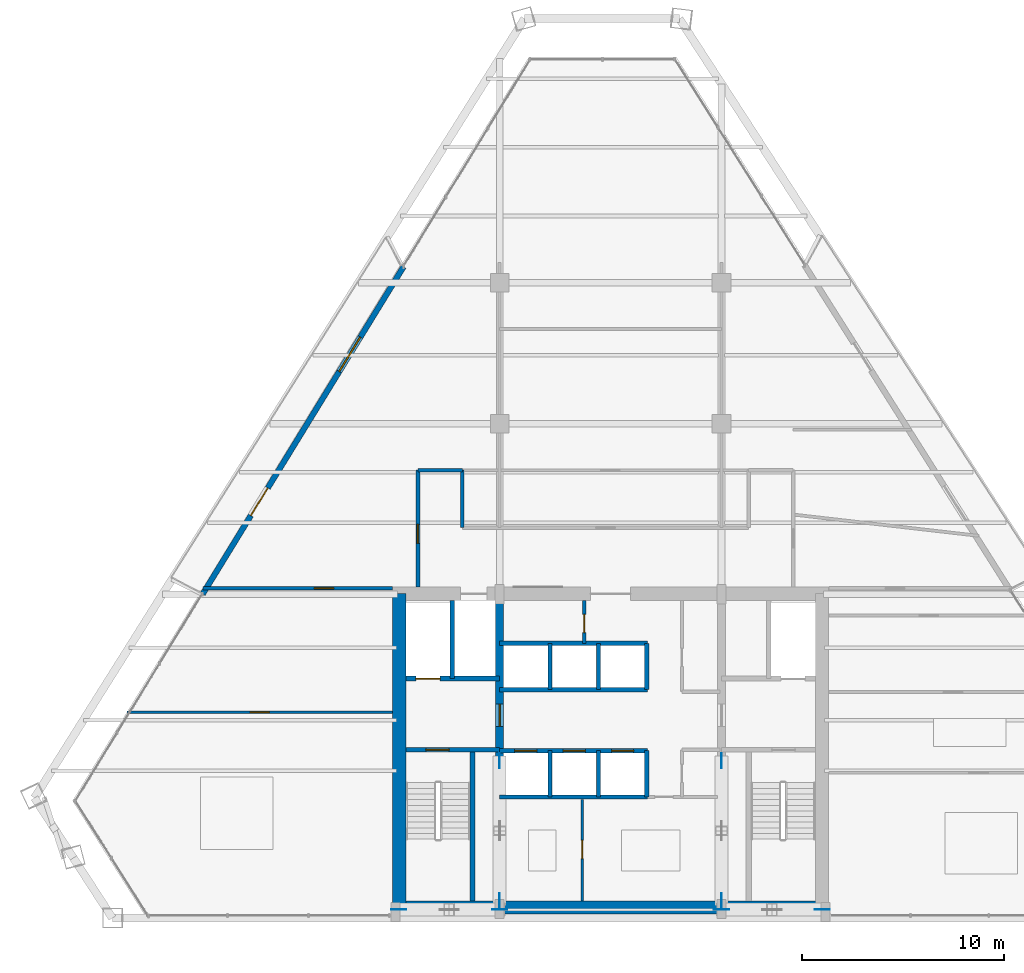
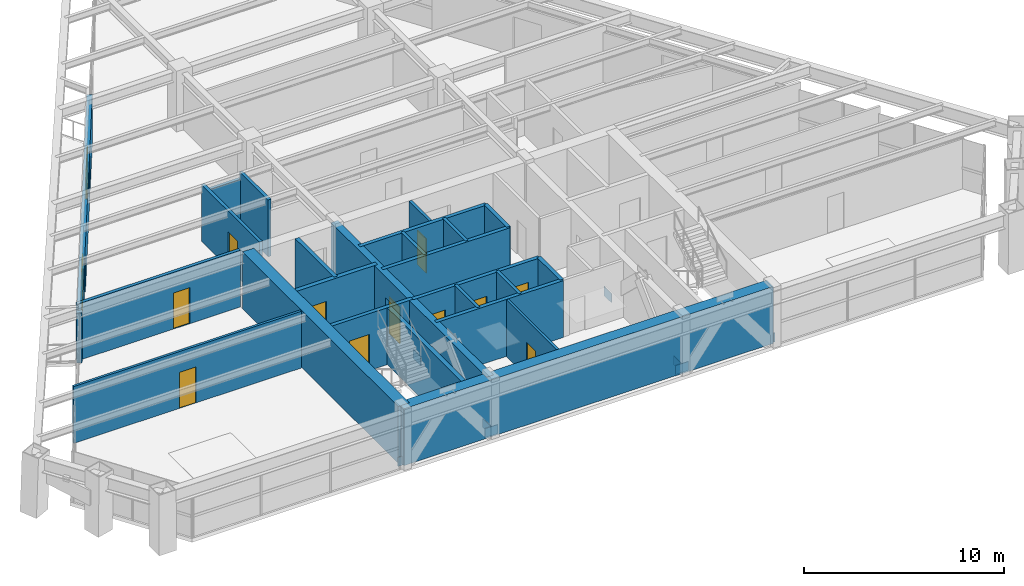
# One storey, part 11 of 15: 25 walls, 12 doors, 8 plates, 1 window, 13 openings.
"""IFC4 building model written with IfcOpenShell, lengths in metres."""

from ifc_helpers import new_model, si_unit, direction, frame, frame_2d, origin, origin_2d, place, context, subcontext, project, spatial, rectangle, extrude, source, transform, mapped, material, layer, layer_set, type_object, type_shapes, element, fill, save


model = new_model("IFC4")

# Units and contexts
model_context = context("Model", 3, precision=1e-05, world=origin(), true_north=direction((0.0, 1.0)))
body_context = subcontext(model_context, "Body", "Model", "MODEL_VIEW")
ifc_project = project(units=[si_unit("LENGTHUNIT", "METRE"), si_unit("AREAUNIT", "SQUARE_METRE"), si_unit("VOLUMEUNIT", "CUBIC_METRE"), si_unit("PLANEANGLEUNIT", "RADIAN"), si_unit("MASSUNIT", "GRAM", prefix="KILO")], contexts=[model_context])

# Site, building, storey
site_placement = place(None, origin())
site = spatial("IfcSite", under=ifc_project, at=site_placement, CompositionType="ELEMENT")
building_placement = place(site_placement, origin())
building = spatial("IfcBuilding", under=site, at=building_placement, Name="Varnakhor Terracotta Tower", CompositionType="ELEMENT")
storey_placement = place(building_placement, frame((0.0, 0.0, 196.89990234375)))
storey = spatial("IfcBuildingStorey", under=building, at=storey_placement, Name="L50", CompositionType="ELEMENT", Elevation=196.89990234375)

# Plates
ifc_material_1 = material(Name="Steel S460", Category="steel")
ifc_layer_1 = layer(ifc_material_1, 0.050048828125, Name="Steel S460")
ifc_layer_set_1 = layer_set([ifc_layer_1], Name="Steel S460")
plate_type = type_object("IfcPlateType", Name="PLT-GUSSET-50", PredefinedType="USERDEFINED", material=ifc_layer_set_1)
shared_shape_1 = source(origin(), body_context, "Body", "SweptSolid", [
    extrude(rectangle(XDim=0.75, YDim=0.0400390625, at=origin_2d()), origin(), (0.0, 0.0, 1.0), 0.550048828125),
])
type_shapes(plate_type, [shared_shape_1])
for number, where, z_axis, x_axis, name in (
    (1, (-10.5, 0.419921875, -0.0947265625), (0.0, 0.0, 1.0), (1.0, 0.0, 0.0), "L50 Core Brace Embed Plate CSWA"),
    (2, (-5.5, 0.419921875, -0.0947265625), (0.0, 0.0, 1.0), (1.0, 0.0, 0.0), "L50 Core Brace Embed Plate CSWB"),
    (3, (5.5, 0.419921875, -0.0947265625), (0.0, 0.0, 1.0), (1.0, 0.0, 0.0), "L50 Core Brace Embed Plate CSEA"),
    (4, (10.5, 0.419921875, -0.0947265625), (0.0, 0.0, 1.0), (1.0, 0.0, 0.0), "L50 Core Brace Embed Plate CSEB"),
    (5, (-5.5, 0.85009765625, -0.0947265625), (0.0, 0.0, 1.0), (0.0, 1.0, 0.0), "L50 Core Brace Embed Plate CWWA"),
    (6, (-5.5, 7.800048828125, -0.0947265625), (0.0, 0.0, 1.0), (0.0, 1.0, 0.0), "L50 Core Brace Embed Plate CWWB"),
    (7, (5.5, 0.85009765625, -0.0947265625), (0.0, 0.0, 1.0), (0.0, 1.0, 0.0), "L50 Core Brace Embed Plate CWEA"),
    (8, (5.5, 7.800048828125, -0.0947265625), (0.0, 0.0, 1.0), (0.0, 1.0, 0.0), "L50 Core Brace Embed Plate CWEB"),
):
    element("IfcPlate", number, at=place(storey_placement, frame(where, z_axis=z_axis, x_axis=x_axis)), inside=storey, type_object=plate_type, Name=name, ObjectType="GUSSET PLATE", PredefinedType="USERDEFINED", context=body_context, shape_type="MappedRepresentation", body=[
        mapped(shared_shape_1, transform((0.0, 0.0, 0.0), scale=1.0)),
    ])

# Walls
ifc_material_2 = material(Name="Concrete C50/60", Category="concrete")
ifc_layer_2 = layer(ifc_material_2, 0.64990234375, Name="Concrete C50/60")
ifc_layer_set_2 = layer_set([ifc_layer_2], Name="Concrete C50/60")
wall_type_1 = type_object("IfcWallType", Name="WAL-CORE-650", PredefinedType="SHEAR", material=ifc_layer_set_2)
wall_1_placement = place(storey_placement, frame((-10.64990234375, 0.52490234375, 0.0), z_axis=(0.0, 0.0, 1.0), x_axis=(1.0, 0.0, 0.0)))
element("IfcWall", 9, at=wall_1_placement, inside=storey, type_object=wall_type_1, Name="L50 South Core Shear Wall", PredefinedType="SHEAR", context=body_context, shape_type="SweptSolid", body=[
    extrude(rectangle(XDim=21.2998046875, YDim=0.64990234375, at=frame_2d((10.64990234375, 0.0))), origin(), (0.0, 0.0, 1.0), 3.47021484375),
])
wall_2_placement = place(storey_placement, frame((-10.47509765625, 0.52490234375, 0.0), z_axis=(0.0, 0.0, 1.0), x_axis=(0.0, 1.0, 0.0)))
element("IfcWall", 10, at=wall_2_placement, inside=storey, type_object=wall_type_1, Name="L50 West Core Shear Wall", PredefinedType="SHEAR", context=body_context, shape_type="SweptSolid", body=[
    extrude(rectangle(XDim=15.550048828125, YDim=0.64990234375, at=frame_2d((7.77490234375, 0.0))), origin(), (0.0, 0.0, 1.0), 3.47021484375),
])

# Wall, opening, door
ifc_layer_3 = layer(ifc_material_2, 0.39990234375, Name="Concrete C50/60")
ifc_layer_set_3 = layer_set([ifc_layer_3], Name="Concrete C50/60")
wall_type_2 = type_object("IfcWallType", Name="WAL-CORE-WEB-400", PredefinedType="SHEAR", material=ifc_layer_set_3)
wall_3_placement = place(storey_placement, frame((-5.5, 0.52490234375, 0.0), z_axis=(0.0, 0.0, 1.0), x_axis=(0.0, 1.0, 0.0)))
wall_3 = element("IfcWall", 11, at=wall_3_placement, inside=storey, type_object=wall_type_2, Name="L50 West Core Web Shear Wall", PredefinedType="SHEAR", context=body_context, shape_type="SweptSolid", body=[
    extrude(rectangle(XDim=15.550048828125, YDim=0.39990234375, at=frame_2d((7.77490234375, 0.0))), origin(), (0.0, 0.0, 1.0), 3.47021484375),
])
opening_1_placement = place(wall_3_placement, frame((8.97509765625, 0.0, 0.0)))
opening_1 = element("IfcOpeningElement", 12, at=opening_1_placement, cuts=wall_3, Name="Opening DR-25", PredefinedType="OPENING", context=body_context, shape_type="SweptSolid", body=[
    extrude(rectangle(XDim=1.10009765625, YDim=2.199951171875, at=frame_2d((0.550048828125, 1.10009765625))), frame((0.0, 0.2099609375, 0.0), z_axis=(0.0, -1.0, 0.0), x_axis=(1.0, 0.0, 0.0)), (0.0, 0.0, 1.0), 0.419921875),
])
ifc_material_3 = material(Name="Firefighting Lobby Self-Closing Fire Door", Category="steel")
door_type_1 = type_object("IfcDoorType", Name="DR-FFL-1100X2200", OperationType="NOTDEFINED", PredefinedType="DOOR", material=ifc_material_3)
shared_shape_2 = source(origin(), body_context, "Body", "SweptSolid", [
    extrude(rectangle(XDim=1.10009765625, YDim=2.199951171875, at=frame_2d((0.550048828125, 1.10009765625))), frame((0.0, 0.02490234375, 0.0), z_axis=(0.0, -1.0, 0.0), x_axis=(1.0, 0.0, 0.0)), (0.0, 0.0, 1.0), 0.050048828125),
])
type_shapes(door_type_1, [shared_shape_2])
door_1_placement = place(opening_1_placement, origin())
door_1 = element("IfcDoor", 13, at=door_1_placement, inside=storey, type_object=door_type_1, Name="L50 West Firefighting Lobby Door", OperationType="SINGLE_SWING_RIGHT", OverallHeight=2.199951171875, OverallWidth=1.10009765625, PredefinedType="DOOR", context=body_context, shape_type="MappedRepresentation", body=[
    mapped(shared_shape_2, transform((0.0, 0.0, 0.0), scale=1.0)),
])
fill(opening_1, door_1)

# Wall
ifc_material_4 = material(Name="Fire-Rated Gypsum Stud Partition", Category="gypsum")
ifc_layer_4 = layer(ifc_material_4, 0.18505859375, Name="Fire-Rated Gypsum Stud Partition")
ifc_layer_set_4 = layer_set([ifc_layer_4], Name="Fire-Rated Gypsum Stud Partition")
wall_type_3 = type_object("IfcWallType", Name="WAL-CORR-185", PredefinedType="PARTITIONING", material=ifc_layer_set_4)
wall_4_placement = place(storey_placement, frame((-7.35009765625, 19.35009765625, 0.0), z_axis=(0.0, 0.0, 1.0), x_axis=(0.0, 1.0, 0.0)))
element("IfcWall", 14, at=wall_4_placement, inside=storey, type_object=wall_type_3, Name="L50 West Gallery Inner Wall", PredefinedType="PARTITIONING", context=body_context, shape_type="SweptSolid", body=[
    extrude(rectangle(XDim=2.849853515625, YDim=0.18505859375, at=frame_2d((1.4248046875, 0.0))), origin(), (0.0, 0.0, 1.0), 3.462158203125),
])

# Wall, opening, door
wall_5_placement = place(storey_placement, frame((-9.550048828125, 16.39990234375, 0.0), z_axis=(0.0, 0.0, 1.0), x_axis=(0.0, 1.0, 0.0)))
wall_5 = element("IfcWall", 15, at=wall_5_placement, inside=storey, type_object=wall_type_3, Name="L50 West Gallery Outer Wall", PredefinedType="PARTITIONING", context=body_context, shape_type="SweptSolid", body=[
    extrude(rectangle(XDim=5.800048828125, YDim=0.18505859375, at=frame_2d((2.89990234375, 0.0))), origin(), (0.0, 0.0, 1.0), 3.462158203125),
])
opening_2_placement = place(wall_5_placement, frame((2.1689453125, 0.0, 0.0)))
opening_2 = element("IfcOpeningElement", 16, at=opening_2_placement, cuts=wall_5, Name="Opening DR-94", PredefinedType="OPENING", context=body_context, shape_type="SweptSolid", body=[
    extrude(rectangle(XDim=0.949951171875, YDim=2.199951171875, at=frame_2d((0.47509765625, 1.10009765625))), frame((0.0, 0.1025390625, 0.0), z_axis=(0.0, -1.0, 0.0), x_axis=(1.0, 0.0, 0.0)), (0.0, 0.0, 1.0), 0.205078125),
])
ifc_material_5 = material(Name="Acoustic Glazed-Vision Timber Office Door", Category="wood")
door_type_2 = type_object("IfcDoorType", Name="DR-OFF-950X2200", OperationType="NOTDEFINED", PredefinedType="DOOR", material=ifc_material_5)
shared_shape_3 = source(origin(), body_context, "Body", "SweptSolid", [
    extrude(rectangle(XDim=0.949951171875, YDim=2.199951171875, at=frame_2d((0.47509765625, 1.10009765625))), frame((0.0, 0.02490234375, 0.0), z_axis=(0.0, -1.0, 0.0), x_axis=(1.0, 0.0, 0.0)), (0.0, 0.0, 1.0), 0.050048828125),
])
type_shapes(door_type_2, [shared_shape_3])
door_2_placement = place(opening_2_placement, origin())
door_2 = element("IfcDoor", 17, at=door_2_placement, inside=storey, type_object=door_type_2, Name="L50 West Wing Door", OperationType="SINGLE_SWING_LEFT", OverallHeight=2.199951171875, OverallWidth=0.949951171875, PredefinedType="DOOR", context=body_context, shape_type="MappedRepresentation", body=[
    mapped(shared_shape_3, transform((0.0, 0.0, 0.0), scale=1.0)),
])
fill(opening_2, door_2)

# Wall
wall_6_placement = place(storey_placement, frame((-9.550048828125, 22.199951171875, 0.0), z_axis=(0.0, 0.0, 1.0), x_axis=(1.0, 0.0, 0.0)))
element("IfcWall", 18, at=wall_6_placement, inside=storey, type_object=wall_type_3, Name="L50 West Gallery North End", PredefinedType="PARTITIONING", context=body_context, shape_type="SweptSolid", body=[
    extrude(rectangle(XDim=2.199951171875, YDim=0.18505859375, at=frame_2d((1.10009765625, 0.0))), origin(), (0.0, 0.0, 1.0), 3.049072265625),
])

# Wall, opening, door
wall_7_placement = place(storey_placement, frame((-20.19140625, 16.35009765625, 0.0), z_axis=(0.0, 0.0, 1.0), x_axis=(1.0, 0.0, 0.0)))
wall_7 = element("IfcWall", 19, at=wall_7_placement, inside=storey, type_object=wall_type_3, Name="L50 South West Entry Wall", PredefinedType="PARTITIONING", context=body_context, shape_type="SweptSolid", body=[
    extrude(rectangle(XDim=9.371337890625, YDim=0.18505859375, at=frame_2d((4.685546875, 0.0))), origin(), (0.0, 0.0, 1.0), 3.462158203125),
])
opening_3_placement = place(wall_7_placement, frame((5.514404296875, 0.0, 0.0)))
opening_3 = element("IfcOpeningElement", 20, at=opening_3_placement, cuts=wall_7, Name="Opening DR-94", PredefinedType="OPENING", context=body_context, shape_type="SweptSolid", body=[
    extrude(rectangle(XDim=0.949951171875, YDim=2.199951171875, at=frame_2d((0.47509765625, 1.10009765625))), frame((0.0, 0.1025390625, 0.0), z_axis=(0.0, -1.0, 0.0), x_axis=(1.0, 0.0, 0.0)), (0.0, 0.0, 1.0), 0.205078125),
])
door_3_placement = place(opening_3_placement, origin())
door_3 = element("IfcDoor", 21, at=door_3_placement, inside=storey, type_object=door_type_2, Name="L50 SW Suite Door", OperationType="SINGLE_SWING_LEFT", OverallHeight=2.199951171875, OverallWidth=0.949951171875, PredefinedType="DOOR", context=body_context, shape_type="MappedRepresentation", body=[
    mapped(shared_shape_3, transform((0.0, 0.0, 0.0), scale=1.0)),
])
fill(opening_3, door_3)

# Wall, openings, door, window
ifc_material_6 = material(Name="Extruded Architectural Terracotta Assembly", Category="masonry")
ifc_layer_5 = layer(ifc_material_6, 0.280029296875, Name="Extruded Architectural Terracotta Assembly")
ifc_layer_set_5 = layer_set([ifc_layer_5], Name="Extruded Architectural Terracotta Assembly")
wall_type_4 = type_object("IfcWallType", Name="WAL-EXT-TERRACOTTA-280", PredefinedType="SOLIDWALL", material=ifc_layer_set_5)
wall_8_placement = place(storey_placement, frame((-20.21728515625, 16.059326171875, 0.0), z_axis=(0.0, 0.0, 1.0), x_axis=(0.523025539044, 0.852317009984, 0.0)))
wall_8 = element("IfcWall", 22, at=wall_8_placement, inside=storey, type_object=wall_type_4, Name="L50 W Loggia Insulated Terracotta Wall", PredefinedType="SOLIDWALL", context=body_context, shape_type="SweptSolid", body=[
    extrude(rectangle(XDim=19.03125, YDim=0.280029296875, at=frame_2d((9.515625, 0.0))), origin(), (0.0, 0.0, 1.0), 3.050048828125),
])
opening_4_placement = place(wall_8_placement, frame((4.5673828125, 0.0, 0.0)))
opening_4 = element("IfcOpeningElement", 23, at=opening_4_placement, cuts=wall_8, Name="Opening DR-62", PredefinedType="OPENING", context=body_context, shape_type="SweptSolid", body=[
    extrude(rectangle(XDim=1.60009765625, YDim=2.35009765625, at=frame_2d((0.800048828125, 1.175048828125))), frame((0.0, 0.14990234375, 0.0), z_axis=(0.0, -1.0, 0.0), x_axis=(1.0, 0.0, 0.0)), (0.0, 0.0, 1.0), 0.300048828125),
])
opening_5_placement = place(wall_8_placement, frame((12.94140625, 0.0, 0.89990234375)))
opening_5 = element("IfcOpeningElement", 24, at=opening_5_placement, cuts=wall_8, Name="Opening WN-26", PredefinedType="OPENING", context=body_context, shape_type="SweptSolid", body=[
    extrude(rectangle(XDim=2.0, YDim=1.85009765625, at=frame_2d((1.0, 0.925048828125))), frame((0.0, 0.14990234375, 0.0), z_axis=(0.0, -1.0, 0.0), x_axis=(1.0, 0.0, 0.0)), (0.0, 0.0, 1.0), 0.300048828125),
])
ifc_material_7 = material(Name="Thermally Broken Sliding Glass Loggia Door", Category="glass")
door_type_3 = type_object("IfcDoorType", Name="DR-EXT-LOGGIA-1600X2350", OperationType="NOTDEFINED", PredefinedType="DOOR", material=ifc_material_7)
shared_shape_4 = source(origin(), body_context, "Body", "SweptSolid", [
    extrude(rectangle(XDim=1.60009765625, YDim=2.35009765625, at=frame_2d((0.800048828125, 1.175048828125))), frame((0.0, 0.02490234375, 0.0), z_axis=(0.0, -1.0, 0.0), x_axis=(1.0, 0.0, 0.0)), (0.0, 0.0, 1.0), 0.050048828125),
])
type_shapes(door_type_3, [shared_shape_4])
door_4_placement = place(opening_4_placement, origin())
door_4 = element("IfcDoor", 25, at=door_4_placement, inside=storey, type_object=door_type_3, Name="L50 W Recessed Loggia Sliding Door", OperationType="SLIDING_TO_LEFT", OverallHeight=2.35009765625, OverallWidth=1.60009765625, PredefinedType="DOOR", context=body_context, shape_type="MappedRepresentation", body=[
    mapped(shared_shape_4, transform((0.0, 0.0, 0.0), scale=1.0)),
])
fill(opening_4, door_4)
ifc_material_8 = material(Name="Solar-Control Low-E Insulated Glass Unit", Category="glass")
window_type = type_object("IfcWindowType", Name="WIN-OFF-2200X2100", PartitioningType="SINGLE_PANEL", PredefinedType="WINDOW", material=ifc_material_8)
shared_shape_5 = source(origin(), body_context, "Body", "SweptSolid", [
    extrude(rectangle(XDim=2.0, YDim=1.85009765625, at=frame_2d((1.0, 0.925048828125))), frame((0.0, 0.030029296875, 0.0), z_axis=(0.0, -1.0, 0.0), x_axis=(1.0, 0.0, 0.0)), (0.0, 0.0, 1.0), 0.06005859375),
])
type_shapes(window_type, [shared_shape_5])
window_placement = place(opening_5_placement, origin())
window = element("IfcWindow", 26, at=window_placement, inside=storey, type_object=window_type, Name="L50 W Facet Punched Window", OverallHeight=1.85009765625, OverallWidth=2.0, PartitioningType="SINGLE_PANEL", PredefinedType="WINDOW", context=body_context, shape_type="MappedRepresentation", body=[
    mapped(shared_shape_5, transform((0.0, 0.0, 0.0), scale=1.0)),
])
fill(opening_5, window)

# Wall, opening, door
ifc_material_9 = material(Name="Concrete C40/50", Category="concrete")
ifc_layer_6 = layer(ifc_material_9, 0.219970703125, Name="Concrete C40/50")
ifc_layer_set_6 = layer_set([ifc_layer_6], Name="Concrete C40/50")
wall_type_5 = type_object("IfcWallType", Name="WAL-FFLOBBY-220", PredefinedType="SOLIDWALL", material=ifc_layer_set_6)
wall_9_placement = place(storey_placement, frame((-5.5, 8.35009765625, 0.0), z_axis=(0.0, 0.0, 1.0), x_axis=(-1.0, 0.0, 0.0)))
wall_9 = element("IfcWall", 27, at=wall_9_placement, inside=storey, type_object=wall_type_5, Name="L50 West Firefighting Lobby Stair Wall", PredefinedType="SOLIDWALL", context=body_context, shape_type="SweptSolid", body=[
    extrude(rectangle(XDim=4.64990234375, YDim=0.219970703125, at=frame_2d((2.324951171875, 0.0))), origin(), (0.0, 0.0, 1.0), 3.47021484375),
])
opening_6_placement = place(wall_9_placement, frame((2.5, 0.0, 0.0)))
opening_6 = element("IfcOpeningElement", 28, at=opening_6_placement, cuts=wall_9, Name="Opening DR-34", PredefinedType="OPENING", context=body_context, shape_type="SweptSolid", body=[
    extrude(rectangle(XDim=1.14990234375, YDim=2.199951171875, at=frame_2d((0.574951171875, 1.10009765625))), frame((0.0, 0.1201171875, 0.0), z_axis=(0.0, -1.0, 0.0), x_axis=(1.0, 0.0, 0.0)), (0.0, 0.0, 1.0), 0.239990234375),
])
ifc_material_10 = material(Name="Self-Closing Smoke-Sealed Steel Fire Door", Category="steel")
door_type_4 = type_object("IfcDoorType", Name="DR-STAIR-1150X2200", OperationType="NOTDEFINED", PredefinedType="DOOR", material=ifc_material_10)
shared_shape_6 = source(origin(), body_context, "Body", "SweptSolid", [
    extrude(rectangle(XDim=1.14990234375, YDim=2.199951171875, at=frame_2d((0.574951171875, 1.10009765625))), frame((0.0, 0.02490234375, 0.0), z_axis=(0.0, -1.0, 0.0), x_axis=(1.0, 0.0, 0.0)), (0.0, 0.0, 1.0), 0.050048828125),
])
type_shapes(door_type_4, [shared_shape_6])
door_5_placement = place(opening_6_placement, origin())
door_5 = element("IfcDoor", 29, at=door_5_placement, inside=storey, type_object=door_type_4, Name="L50 Exit Stair ST-1 Fire Door", OperationType="SINGLE_SWING_LEFT", OverallHeight=2.199951171875, OverallWidth=1.14990234375, PredefinedType="DOOR", context=body_context, shape_type="MappedRepresentation", body=[
    mapped(shared_shape_6, transform((0.0, 0.0, 0.0), scale=1.0)),
])
fill(opening_6, door_5)

ifc_material_11 = material(Name="Acoustic Metal-Stud Partition", Category="gypsum")
ifc_layer_7 = layer(ifc_material_11, 0.139892578125, Name="Acoustic Metal-Stud Partition")
ifc_layer_set_7 = layer_set([ifc_layer_7], Name="Acoustic Metal-Stud Partition")
wall_type_6 = type_object("IfcWallType", Name="WAL-PART-140", PredefinedType="PARTITIONING", material=ifc_layer_set_7)
wall_10_placement = place(storey_placement, frame((-23.965087890625, 10.199951171875, 0.0), z_axis=(0.0, 0.0, 1.0), x_axis=(1.0, 0.0, 0.0)))
wall_10 = element("IfcWall", 30, at=wall_10_placement, inside=storey, type_object=wall_type_6, Name="L50 West Wing Cut 1", PredefinedType="PARTITIONING", context=body_context, shape_type="SweptSolid", body=[
    extrude(rectangle(XDim=13.14501953125, YDim=0.139892578125, at=frame_2d((6.572509765625, 0.0))), origin(), (0.0, 0.0, 1.0), 3.462158203125),
])
opening_7_placement = place(wall_10_placement, frame((6.10302734375, 0.0, 0.0)))
opening_7 = element("IfcOpeningElement", 31, at=opening_7_placement, cuts=wall_10, Name="Opening DR-94", PredefinedType="OPENING", context=body_context, shape_type="SweptSolid", body=[
    extrude(rectangle(XDim=0.949951171875, YDim=2.199951171875, at=frame_2d((0.47509765625, 1.10009765625))), frame((0.0, 0.080078125, 0.0), z_axis=(0.0, -1.0, 0.0), x_axis=(1.0, 0.0, 0.0)), (0.0, 0.0, 1.0), 0.159912109375),
])
door_6_placement = place(opening_7_placement, origin())
door_6 = element("IfcDoor", 32, at=door_6_placement, inside=storey, type_object=door_type_2, Name="L50 Quiet Study Room Door", OperationType="SINGLE_SWING_LEFT", OverallHeight=2.199951171875, OverallWidth=0.949951171875, PredefinedType="DOOR", context=body_context, shape_type="MappedRepresentation", body=[
    mapped(shared_shape_3, transform((0.0, 0.0, 0.0), scale=1.0)),
])
fill(opening_7, door_6)

# Walls
ifc_layer_8 = layer(ifc_material_9, 0.179931640625, Name="Concrete C40/50")
ifc_layer_set_8 = layer_set([ifc_layer_8], Name="Concrete C40/50")
wall_type_7 = type_object("IfcWallType", Name="WAL-SHAFT-180", PredefinedType="SOLIDWALL", material=ifc_layer_set_8)
for number, where, z_axis, x_axis, name in (
    (33, (-3.0, 6.0, 0.0), (0.0, 0.0, 1.0), (0.0, 1.0, 0.0), "L50 PL-2A Divider"),
    (34, (-0.60009765625, 6.0, 0.0), (0.0, 0.0, 1.0), (0.0, 1.0, 0.0), "L50 PL-2B Divider"),
    (35, (-3.0, 11.320068359375, 0.0), (0.0, 0.0, 1.0), (0.0, 1.0, 0.0), "L50 PL-3A Divider"),
    (36, (-0.60009765625, 11.320068359375, 0.0), (0.0, 0.0, 1.0), (0.0, 1.0, 0.0), "L50 PL-3B Divider"),
):
    element("IfcWall", number, at=place(storey_placement, frame(where, z_axis=z_axis, x_axis=x_axis)), inside=storey, type_object=wall_type_7, Name=name, PredefinedType="SOLIDWALL", context=body_context, shape_type="SweptSolid", body=[
        extrude(rectangle(XDim=2.300048828125, YDim=0.179931640625, at=frame_2d((1.14990234375, 0.0))), origin(), (0.0, 0.0, 1.0), 3.47021484375),
    ])
ifc_layer_9 = layer(ifc_material_9, 0.219970703125, Name="Concrete C40/50")
ifc_layer_set_9 = layer_set([ifc_layer_9], Name="Concrete C40/50")
wall_type_8 = type_object("IfcWallType", Name="WAL-SHAFT-220", PredefinedType="SOLIDWALL", material=ifc_layer_set_9)
wall_11_placement = place(storey_placement, frame((-7.840087890625, 11.8701171875, 0.0), z_axis=(0.0, 0.0, 1.0), x_axis=(0.0, 1.0, 0.0)))
element("IfcWall", 37, at=wall_11_placement, inside=storey, type_object=wall_type_8, Name="L50 Lift FFL-1 and SVL-1 Divider Wall", PredefinedType="SOLIDWALL", context=body_context, shape_type="SweptSolid", body=[
    extrude(rectangle(XDim=3.8798828125, YDim=0.219970703125, at=frame_2d((1.93994140625, 0.0))), origin(), (0.0, 0.0, 1.0), 3.47021484375),
])
wall_12_placement = place(storey_placement, frame((-5.5, 6.0, 0.0), z_axis=(0.0, 0.0, 1.0), x_axis=(1.0, 0.0, 0.0)))
element("IfcWall", 38, at=wall_12_placement, inside=storey, type_object=wall_type_8, Name="L50 Bank 2 South Shaft Wall", PredefinedType="SOLIDWALL", context=body_context, shape_type="SweptSolid", body=[
    extrude(rectangle(XDim=7.320068359375, YDim=0.219970703125, at=frame_2d((3.66015625, 0.0))), origin(), (0.0, 0.0, 1.0), 3.47021484375),
])

# Wall, openings, doors
wall_13_placement = place(storey_placement, frame((-5.5, 8.300048828125, 0.0), z_axis=(0.0, 0.0, 1.0), x_axis=(1.0, 0.0, 0.0)))
wall_13 = element("IfcWall", 39, at=wall_13_placement, inside=storey, type_object=wall_type_8, Name="L50 Bank 2 North Shaft Wall", PredefinedType="SOLIDWALL", context=body_context, shape_type="SweptSolid", body=[
    extrude(rectangle(XDim=7.320068359375, YDim=0.219970703125, at=frame_2d((3.66015625, 0.0))), origin(), (0.0, 0.0, 1.0), 3.47021484375),
])
opening_8_placement = place(wall_13_placement, frame((0.75, 0.0, 0.0)))
opening_8 = element("IfcOpeningElement", 40, at=opening_8_placement, cuts=wall_13, Name="Opening LD-01", PredefinedType="OPENING", context=body_context, shape_type="SweptSolid", body=[
    extrude(rectangle(XDim=1.10009765625, YDim=2.199951171875, at=frame_2d((0.550048828125, 1.10009765625))), frame((0.0, 0.1201171875, 0.0), z_axis=(0.0, -1.0, 0.0), x_axis=(1.0, 0.0, 0.0)), (0.0, 0.0, 1.0), 0.239990234375),
])
opening_9_placement = place(wall_13_placement, frame((3.14990234375, 0.0, 0.0)))
opening_9 = element("IfcOpeningElement", 41, at=opening_9_placement, cuts=wall_13, Name="Opening LD-01", PredefinedType="OPENING", context=body_context, shape_type="SweptSolid", body=[
    extrude(rectangle(XDim=1.10009765625, YDim=2.199951171875, at=frame_2d((0.550048828125, 1.10009765625))), frame((0.0, 0.1201171875, 0.0), z_axis=(0.0, -1.0, 0.0), x_axis=(1.0, 0.0, 0.0)), (0.0, 0.0, 1.0), 0.239990234375),
])
opening_10_placement = place(wall_13_placement, frame((5.550048828125, 0.0, 0.0)))
opening_10 = element("IfcOpeningElement", 42, at=opening_10_placement, cuts=wall_13, Name="Opening LD-01", PredefinedType="OPENING", context=body_context, shape_type="SweptSolid", body=[
    extrude(rectangle(XDim=1.10009765625, YDim=2.199951171875, at=frame_2d((0.550048828125, 1.10009765625))), frame((0.0, 0.1201171875, 0.0), z_axis=(0.0, -1.0, 0.0), x_axis=(1.0, 0.0, 0.0)), (0.0, 0.0, 1.0), 0.239990234375),
])
ifc_material_12 = material(Name="Brushed Stainless Steel Sliding Lift Landing Door", Category="steel")
door_type_5 = type_object("IfcDoorType", Name="LD-PASS-1100X2200", OperationType="NOTDEFINED", PredefinedType="DOOR", material=ifc_material_12)
shared_shape_7 = source(origin(), body_context, "Body", "SweptSolid", [
    extrude(rectangle(XDim=1.10009765625, YDim=2.199951171875, at=frame_2d((0.550048828125, 1.10009765625))), frame((0.0, 0.02490234375, 0.0), z_axis=(0.0, -1.0, 0.0), x_axis=(1.0, 0.0, 0.0)), (0.0, 0.0, 1.0), 0.050048828125),
])
type_shapes(door_type_5, [shared_shape_7])
door_7_placement = place(opening_8_placement, origin())
door_7 = element("IfcDoor", 43, at=door_7_placement, inside=storey, type_object=door_type_5, Name="L50 Passenger Lift PL-2A Landing Door", OperationType="SLIDING_TO_LEFT", OverallHeight=2.199951171875, OverallWidth=1.10009765625, PredefinedType="DOOR", context=body_context, shape_type="MappedRepresentation", body=[
    mapped(shared_shape_7, transform((0.0, 0.0, 0.0), scale=1.0)),
])
fill(opening_8, door_7)
door_8_placement = place(opening_9_placement, origin())
door_8 = element("IfcDoor", 44, at=door_8_placement, inside=storey, type_object=door_type_5, Name="L50 Passenger Lift PL-2B Landing Door", OperationType="SLIDING_TO_LEFT", OverallHeight=2.199951171875, OverallWidth=1.10009765625, PredefinedType="DOOR", context=body_context, shape_type="MappedRepresentation", body=[
    mapped(shared_shape_7, transform((0.0, 0.0, 0.0), scale=1.0)),
])
fill(opening_9, door_8)
door_9_placement = place(opening_10_placement, origin())
door_9 = element("IfcDoor", 45, at=door_9_placement, inside=storey, type_object=door_type_5, Name="L50 Passenger Lift PL-2C Landing Door", OperationType="SLIDING_TO_LEFT", OverallHeight=2.199951171875, OverallWidth=1.10009765625, PredefinedType="DOOR", context=body_context, shape_type="MappedRepresentation", body=[
    mapped(shared_shape_7, transform((0.0, 0.0, 0.0), scale=1.0)),
])
fill(opening_10, door_9)

# Walls
wall_14_placement = place(storey_placement, frame((1.800048828125, 6.0, 0.0), z_axis=(0.0, 0.0, 1.0), x_axis=(0.0, 1.0, 0.0)))
element("IfcWall", 46, at=wall_14_placement, inside=storey, type_object=wall_type_8, Name="L50 Bank 2 East Shaft Wall", PredefinedType="SOLIDWALL", context=body_context, shape_type="SweptSolid", body=[
    extrude(rectangle(XDim=2.300048828125, YDim=0.219970703125, at=frame_2d((1.14990234375, 0.0))), origin(), (0.0, 0.0, 1.0), 3.47021484375),
])
for number, where, z_axis, x_axis, name in (
    (47, (-5.5, 11.320068359375, 0.0), (0.0, 0.0, 1.0), (1.0, 0.0, 0.0), "L50 Bank 3 South Shaft Wall"),
    (48, (-5.5, 13.6201171875, 0.0), (0.0, 0.0, 1.0), (1.0, 0.0, 0.0), "L50 Bank 3 North Shaft Wall"),
):
    element("IfcWall", number, at=place(storey_placement, frame(where, z_axis=z_axis, x_axis=x_axis)), inside=storey, type_object=wall_type_8, Name=name, PredefinedType="SOLIDWALL", context=body_context, shape_type="SweptSolid", body=[
        extrude(rectangle(XDim=7.320068359375, YDim=0.219970703125, at=frame_2d((3.66015625, 0.0))), origin(), (0.0, 0.0, 1.0), 3.47021484375),
    ])
wall_15_placement = place(storey_placement, frame((1.800048828125, 11.320068359375, 0.0), z_axis=(0.0, 0.0, 1.0), x_axis=(0.0, 1.0, 0.0)))
element("IfcWall", 49, at=wall_15_placement, inside=storey, type_object=wall_type_8, Name="L50 Bank 3 East Shaft Wall", PredefinedType="SOLIDWALL", context=body_context, shape_type="SweptSolid", body=[
    extrude(rectangle(XDim=2.300048828125, YDim=0.219970703125, at=frame_2d((1.14990234375, 0.0))), origin(), (0.0, 0.0, 1.0), 3.47021484375),
])
ifc_layer_10 = layer(ifc_material_9, 0.25, Name="Concrete C40/50")
ifc_layer_set_10 = layer_set([ifc_layer_10], Name="Concrete C40/50")
wall_type_9 = type_object("IfcWallType", Name="WAL-SHAFT-250", PredefinedType="SOLIDWALL", material=ifc_layer_set_10)
wall_16_placement = place(storey_placement, frame((-6.85009765625, 0.85009765625, 0.0), z_axis=(0.0, 0.0, 1.0), x_axis=(0.0, 1.0, 0.0)))
element("IfcWall", 50, at=wall_16_placement, inside=storey, type_object=wall_type_9, Name="L50 Stair ST-1 Bearing Shaft Wall", PredefinedType="SOLIDWALL", context=body_context, shape_type="SweptSolid", body=[
    extrude(rectangle(XDim=7.5, YDim=0.25, at=frame_2d((3.75, 0.0))), origin(), (0.0, 0.0, 1.0), 3.47021484375),
])

# Wall, opening, door
wall_17_placement = place(storey_placement, frame((-5.5, 11.8701171875, 0.0), z_axis=(0.0, 0.0, 1.0), x_axis=(-1.0, 0.0, 0.0)))
wall_17 = element("IfcWall", 51, at=wall_17_placement, inside=storey, type_object=wall_type_9, Name="L50 Lift FFL-1 Shaft Front Wall", PredefinedType="SOLIDWALL", context=body_context, shape_type="SweptSolid", body=[
    extrude(rectangle(XDim=4.64990234375, YDim=0.25, at=frame_2d((2.324951171875, 0.0))), origin(), (0.0, 0.0, 1.0), 3.47021484375),
])
opening_11_placement = place(wall_17_placement, frame((2.949951171875, 0.0, 0.0)))
opening_11 = element("IfcOpeningElement", 52, at=opening_11_placement, cuts=wall_17, Name="Opening LD-02", PredefinedType="OPENING", context=body_context, shape_type="SweptSolid", body=[
    extrude(rectangle(XDim=1.199951171875, YDim=2.25, at=frame_2d((0.60009765625, 1.125))), frame((0.0, 0.135009765625, 0.0), z_axis=(0.0, -1.0, 0.0), x_axis=(1.0, 0.0, 0.0)), (0.0, 0.0, 1.0), 0.27001953125),
])
ifc_material_13 = material(Name="Firefighting Stretcher Sliding Lift Landing Door", Category="steel")
door_type_6 = type_object("IfcDoorType", Name="LD-FFL-1200X2250", OperationType="NOTDEFINED", PredefinedType="DOOR", material=ifc_material_13)
shared_shape_8 = source(origin(), body_context, "Body", "SweptSolid", [
    extrude(rectangle(XDim=1.199951171875, YDim=2.25, at=frame_2d((0.60009765625, 1.125))), frame((0.0, 0.02490234375, 0.0), z_axis=(0.0, -1.0, 0.0), x_axis=(1.0, 0.0, 0.0)), (0.0, 0.0, 1.0), 0.050048828125),
])
type_shapes(door_type_6, [shared_shape_8])
door_10_placement = place(opening_11_placement, origin())
door_10 = element("IfcDoor", 53, at=door_10_placement, inside=storey, type_object=door_type_6, Name="L50 Firefighting Lift FFL-1 Landing Door", OperationType="SLIDING_TO_LEFT", OverallHeight=2.25, OverallWidth=1.199951171875, PredefinedType="DOOR", context=body_context, shape_type="MappedRepresentation", body=[
    mapped(shared_shape_8, transform((0.0, 0.0, 0.0), scale=1.0)),
])
fill(opening_11, door_10)

ifc_material_14 = material(Name="Acoustic Fire-Rated Partition", Category="gypsum")
ifc_layer_11 = layer(ifc_material_14, 0.139892578125, Name="Acoustic Fire-Rated Partition")
ifc_layer_set_11 = layer_set([ifc_layer_11], Name="Acoustic Fire-Rated Partition")
wall_type_10 = type_object("IfcWallType", Name="WAL-TENANCY-140", PredefinedType="PARTITIONING", material=ifc_layer_set_11)
wall_18_placement = place(storey_placement, frame((-1.39990234375, 0.85009765625, 0.0), z_axis=(0.0, 0.0, 1.0), x_axis=(0.0, 1.0, 0.0)))
wall_18 = element("IfcWall", 54, at=wall_18_placement, inside=storey, type_object=wall_type_10, Name="L50 Reclaimed Core Bay Split Wall", PredefinedType="PARTITIONING", context=body_context, shape_type="SweptSolid", body=[
    extrude(rectangle(XDim=5.02978515625, YDim=0.139892578125, at=frame_2d((2.514892578125, 0.0))), origin(), (0.0, 0.0, 1.0), 3.462158203125),
])
opening_12_placement = place(wall_18_placement, frame((2.10009765625, 0.0, 0.0)))
opening_12 = element("IfcOpeningElement", 55, at=opening_12_placement, cuts=wall_18, Name="Opening DR-67", PredefinedType="OPENING", context=body_context, shape_type="SweptSolid", body=[
    extrude(rectangle(XDim=0.89990234375, YDim=2.10009765625, at=frame_2d((0.449951171875, 1.050048828125))), frame((0.0, 0.080078125, 0.0), z_axis=(0.0, -1.0, 0.0), x_axis=(1.0, 0.0, 0.0)), (0.0, 0.0, 1.0), 0.159912109375),
])
ifc_material_15 = material(Name="Steel Service Riser Fire Door", Category="steel")
door_type_7 = type_object("IfcDoorType", Name="DR-RISER-900X2100", OperationType="NOTDEFINED", PredefinedType="DOOR", material=ifc_material_15)
shared_shape_9 = source(origin(), body_context, "Body", "SweptSolid", [
    extrude(rectangle(XDim=0.89990234375, YDim=2.10009765625, at=frame_2d((0.449951171875, 1.050048828125))), frame((0.0, 0.02490234375, 0.0), z_axis=(0.0, -1.0, 0.0), x_axis=(1.0, 0.0, 0.0)), (0.0, 0.0, 1.0), 0.050048828125),
])
type_shapes(door_type_7, [shared_shape_9])
door_11_placement = place(opening_12_placement, origin())
door_11 = element("IfcDoor", 56, at=door_11_placement, inside=storey, type_object=door_type_7, Name="L50 Core Inner Service Door", OperationType="SINGLE_SWING_RIGHT", OverallHeight=2.10009765625, OverallWidth=0.89990234375, PredefinedType="DOOR", context=body_context, shape_type="MappedRepresentation", body=[
    mapped(shared_shape_9, transform((0.0, 0.0, 0.0), scale=1.0)),
])
fill(opening_12, door_11)

ifc_layer_12 = layer(ifc_material_14, 0.1650390625, Name="Acoustic Fire-Rated Partition")
ifc_layer_set_12 = layer_set([ifc_layer_12], Name="Acoustic Fire-Rated Partition")
wall_type_11 = type_object("IfcWallType", Name="WAL-TENANCY-165", PredefinedType="PARTITIONING", material=ifc_layer_set_12)
wall_19_placement = place(storey_placement, frame((-1.300048828125, 13.60009765625, 0.0), z_axis=(0.0, 0.0, 1.0), x_axis=(0.0, 1.0, 0.0)))
wall_19 = element("IfcWall", 57, at=wall_19_placement, inside=storey, type_object=wall_type_11, Name="L50 Male Restroom Wall", PredefinedType="PARTITIONING", context=body_context, shape_type="SweptSolid", body=[
    extrude(rectangle(XDim=2.14990234375, YDim=0.1650390625, at=frame_2d((1.074951171875, 0.0))), origin(), (0.0, 0.0, 1.0), 3.462158203125),
])
opening_13_placement = place(wall_19_placement, frame((0.550048828125, 0.0, 0.0)))
opening_13 = element("IfcOpeningElement", 58, at=opening_13_placement, cuts=wall_19, Name="Opening DR-67", PredefinedType="OPENING", context=body_context, shape_type="SweptSolid", body=[
    extrude(rectangle(XDim=0.89990234375, YDim=2.10009765625, at=frame_2d((0.449951171875, 1.050048828125))), frame((0.0, 0.092529296875, 0.0), z_axis=(0.0, -1.0, 0.0), x_axis=(1.0, 0.0, 0.0)), (0.0, 0.0, 1.0), 0.18505859375),
])
door_12_placement = place(opening_13_placement, origin())
door_12 = element("IfcDoor", 59, at=door_12_placement, inside=storey, type_object=door_type_7, Name="L50 Male WC Door", OperationType="SINGLE_SWING_RIGHT", OverallHeight=2.10009765625, OverallWidth=0.89990234375, PredefinedType="DOOR", context=body_context, shape_type="MappedRepresentation", body=[
    mapped(shared_shape_9, transform((0.0, 0.0, 0.0), scale=1.0)),
])
fill(opening_13, door_12)

save(model, "model.ifc")
